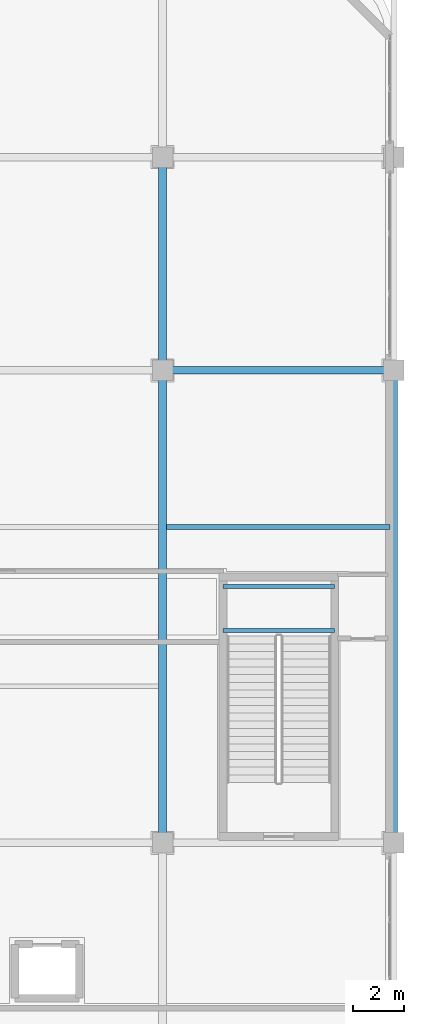
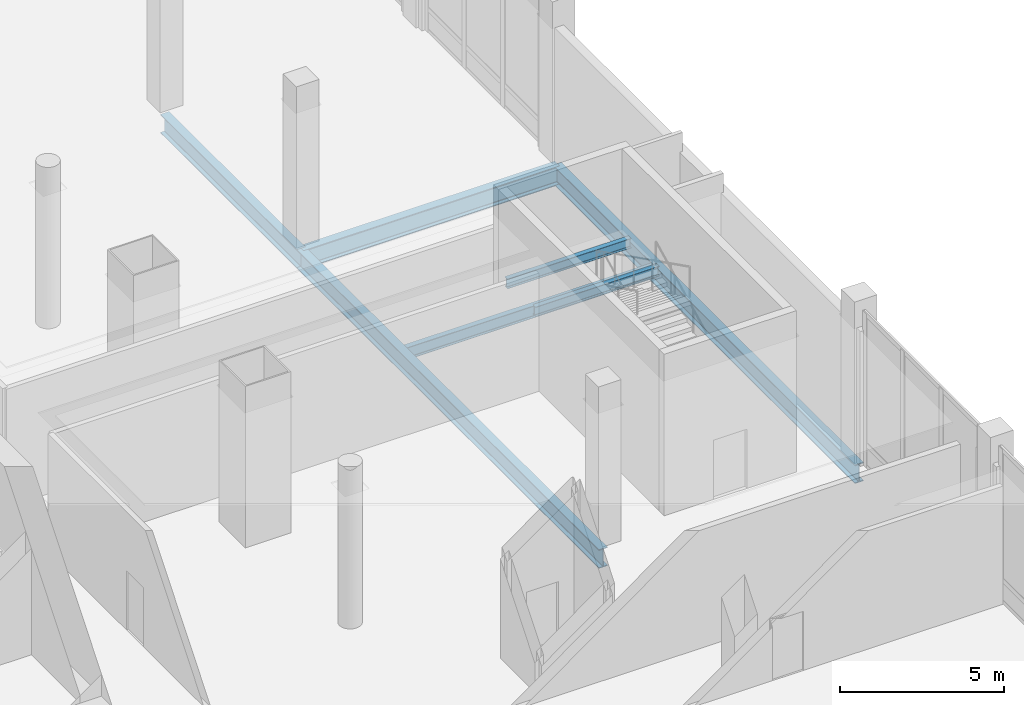
# One storey, part 20 of 38: 7 beams.
"""IFC4 building model written with IfcOpenShell, lengths in metres."""

from ifc_helpers import new_model, si_unit, direction, frame, origin, origin_2d, place, context, subcontext, project, spatial, i_section, extrude, material, material_profile, profile_set, type_object, element, save


model = new_model("IFC4")

# Units and contexts
model_context = context("Model", 3, precision=1e-05, world=origin(), true_north=direction((0.0, 1.0)))
body_context = subcontext(model_context, "Body", "Model", "MODEL_VIEW")
ifc_project = project(units=[si_unit("LENGTHUNIT", "METRE"), si_unit("AREAUNIT", "SQUARE_METRE"), si_unit("VOLUMEUNIT", "CUBIC_METRE"), si_unit("PLANEANGLEUNIT", "RADIAN"), si_unit("MASSUNIT", "GRAM", prefix="KILO")], contexts=[model_context])

# Site, building, storey
site_placement = place(None, origin())
site = spatial("IfcSite", under=ifc_project, at=site_placement, CompositionType="ELEMENT")
building_placement = place(site_placement, origin())
building = spatial("IfcBuilding", under=site, at=building_placement, Name="Punatoya Terracotta Tower", CompositionType="ELEMENT")
storey_placement = place(building_placement, frame((0.0, 0.0, 22.199951171875)))
storey = spatial("IfcBuildingStorey", under=building, at=storey_placement, Name="L04", CompositionType="ELEMENT", Elevation=22.199951171875)

# Beams
ifc_material = material(Name="Steel S355", Category="steel")
ifc_material_profile_1 = material_profile(ifc_material, i_section(OverallWidth=0.300048828125, OverallDepth=0.699951171875, WebThickness=0.01708984375, FlangeThickness=0.031982421875, FilletRadius=0.01806640625, at=origin_2d()))
ifc_profile_set_1 = profile_set([ifc_material_profile_1], Name="Steel S355")
beam_type_1 = type_object("IfcBeamType", Name="BM-PRI-700", PredefinedType="BEAM", material=ifc_profile_set_1)
beam_1_placement = place(storey_placement, frame((28.0, 9.199951171875, -0.72998046875), z_axis=(1.0, 0.0, 0.0), x_axis=(0.0, 1.0, 0.0)))
element("IfcBeam", 1, at=beam_1_placement, inside=storey, type_object=beam_type_1, Name="BM-L04-FE2", PredefinedType="BEAM", context=body_context, shape_type="SweptSolid", body=[
    extrude(i_section(OverallWidth=0.300048828125, OverallDepth=0.699951171875, WebThickness=0.01708984375, FlangeThickness=0.031982421875, FilletRadius=0.01806640625, at=origin_2d()), origin(), (0.0, 0.0, 1.0), 9.0),
])
beam_2_placement = place(storey_placement, frame((28.0, -9.199951171875, -0.72998046875), z_axis=(0.0, 1.0, 0.0), x_axis=(-1.0, 0.0, 0.0)))
element("IfcBeam", 2, at=beam_2_placement, inside=storey, type_object=beam_type_1, Name="BM-L04-X28E--9", PredefinedType="BEAM", context=body_context, shape_type="SweptSolid", body=[
    extrude(i_section(OverallWidth=0.300048828125, OverallDepth=0.699951171875, WebThickness=0.01708984375, FlangeThickness=0.031982421875, FilletRadius=0.01806640625, at=origin_2d()), origin(), (0.0, 0.0, 1.0), 18.39990234375),
])
beam_3_placement = place(storey_placement, frame((28.0, 9.199951171875, -0.72998046875), z_axis=(0.0, 1.0, 0.0), x_axis=(-1.0, 0.0, 0.0)))
element("IfcBeam", 3, at=beam_3_placement, inside=storey, type_object=beam_type_1, Name="BM-L04-X28E-9", PredefinedType="BEAM", context=body_context, shape_type="SweptSolid", body=[
    extrude(i_section(OverallWidth=0.300048828125, OverallDepth=0.699951171875, WebThickness=0.01708984375, FlangeThickness=0.031982421875, FilletRadius=0.01806640625, at=origin_2d()), origin(), (0.0, 0.0, 1.0), 8.300048828125),
])
beam_4_placement = place(storey_placement, frame((37.0, -9.199951171875, -0.72998046875), z_axis=(0.0, 1.0, 0.0), x_axis=(-1.0, 0.0, 0.0)))
element("IfcBeam", 4, at=beam_4_placement, inside=storey, type_object=beam_type_1, Name="BM-L04-X37E--9", PredefinedType="BEAM", context=body_context, shape_type="SweptSolid", body=[
    extrude(i_section(OverallWidth=0.300048828125, OverallDepth=0.699951171875, WebThickness=0.01708984375, FlangeThickness=0.031982421875, FilletRadius=0.01806640625, at=origin_2d()), origin(), (0.0, 0.0, 1.0), 18.39990234375),
])
ifc_material_profile_2 = material_profile(ifc_material, i_section(OverallWidth=0.169921875, OverallDepth=0.360107421875, WebThickness=0.008056640625, FlangeThickness=0.0126953125, FilletRadius=0.01806640625, at=origin_2d()))
ifc_profile_set_2 = profile_set([ifc_material_profile_2], Name="Steel S355")
beam_type_2 = type_object("IfcBeamType", Name="BM-SEC-360", PredefinedType="JOIST", material=ifc_profile_set_2)
for number, where, z_axis, x_axis, name in (
    (5, (30.35009765625, -0.929931640625, 2.6201171875), (1.0, 0.0, 0.0), (0.0, 1.0, 0.0), "BM-L04-ST-P2-LD1A"),
    (6, (30.35009765625, 0.780029296875, 2.6201171875), (1.0, 0.0, 0.0), (0.0, 1.0, 0.0), "BM-L04-ST-P2-LD1B"),
):
    element("IfcBeam", number, at=place(storey_placement, frame(where, z_axis=z_axis, x_axis=x_axis)), inside=storey, type_object=beam_type_2, Name=name, PredefinedType="JOIST", context=body_context, shape_type="SweptSolid", body=[
        extrude(i_section(OverallWidth=0.169921875, OverallDepth=0.360107421875, WebThickness=0.008056640625, FlangeThickness=0.0126953125, FilletRadius=0.01806640625, at=origin_2d()), origin(), (0.0, 0.0, 1.0), 4.349853515625),
    ])
ifc_material_profile_3 = material_profile(ifc_material, i_section(OverallWidth=0.18994140625, OverallDepth=0.449951171875, WebThickness=0.009521484375, FlangeThickness=0.0146484375, FilletRadius=0.01806640625, at=origin_2d()))
ifc_profile_set_3 = profile_set([ifc_material_profile_3], Name="Steel S355")
beam_type_3 = type_object("IfcBeamType", Name="BM-SEC-450", PredefinedType="JOIST", material=ifc_profile_set_3)
beam_5_placement = place(storey_placement, frame((28.14990234375, 3.10009765625, -0.60498046875), z_axis=(1.0, 0.0, 0.0), x_axis=(0.0, 1.0, 0.0)))
element("IfcBeam", 7, at=beam_5_placement, inside=storey, type_object=beam_type_3, Name="BM-L04-WNGJ-E2-31", PredefinedType="JOIST", context=body_context, shape_type="SweptSolid", body=[
    extrude(i_section(OverallWidth=0.18994140625, OverallDepth=0.449951171875, WebThickness=0.009521484375, FlangeThickness=0.0146484375, FilletRadius=0.01806640625, at=origin_2d()), origin(), (0.0, 0.0, 1.0), 8.7001953125),
])

save(model, "model.ifc")
